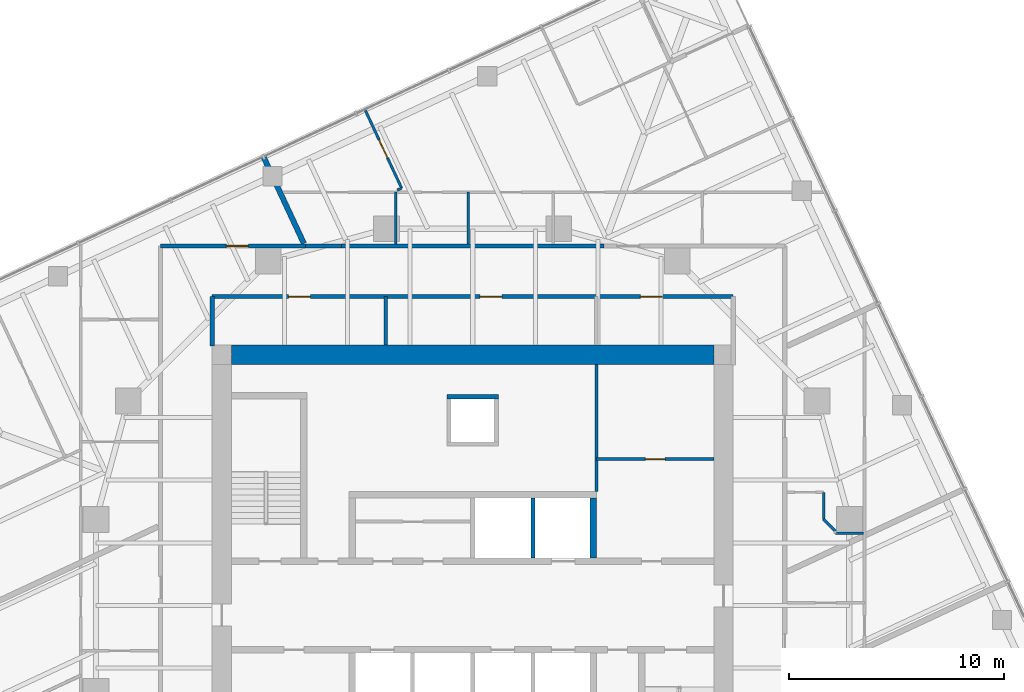
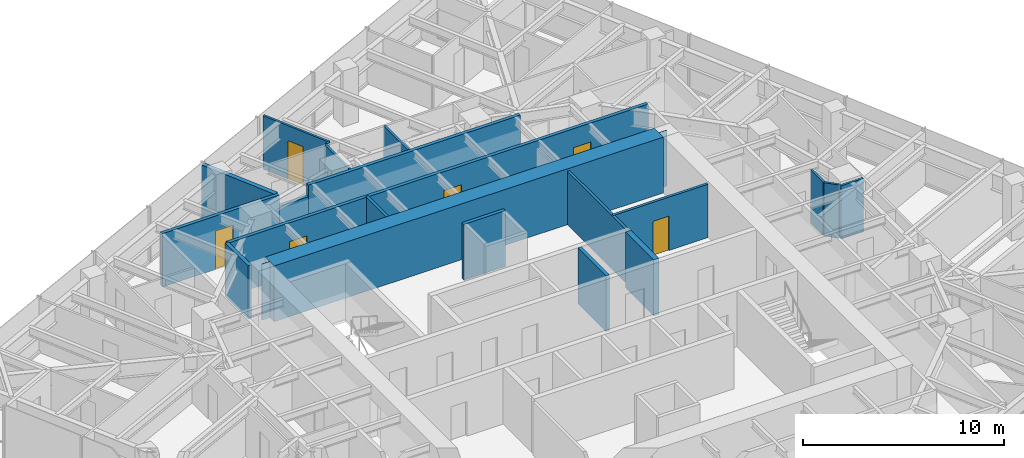
# One storey, part 10 of 13: 20 walls, 6 doors, 6 openings.
"""IFC4 building model written with IfcOpenShell, lengths in metres."""

from ifc_helpers import new_model, si_unit, direction, frame, frame_2d, origin, place, context, subcontext, project, spatial, polyline, rectangle, outline, extrude, material, layer, layer_set, type_object, element, fill, save


model = new_model("IFC4")

# Units and contexts
model_context = context("Model", 3, precision=1e-05, world=origin(), true_north=direction((0.0, 1.0)))
body_context = subcontext(model_context, "Body", "Model", "MODEL_VIEW")
ifc_project = project(units=[si_unit("LENGTHUNIT", "METRE"), si_unit("AREAUNIT", "SQUARE_METRE"), si_unit("VOLUMEUNIT", "CUBIC_METRE"), si_unit("PLANEANGLEUNIT", "RADIAN"), si_unit("MASSUNIT", "GRAM", prefix="KILO")], contexts=[model_context])

# Site, building, storey
site_placement = place(None, origin())
site = spatial("IfcSite", under=ifc_project, at=site_placement, CompositionType="ELEMENT")
building_placement = place(site_placement, origin())
building = spatial("IfcBuilding", under=site, at=building_placement, Name="Torsade Residences", CompositionType="ELEMENT")
storey_placement = place(building_placement, frame((0.0, 0.0, 196.39990234375)))
storey = spatial("IfcBuildingStorey", under=building, at=storey_placement, Name="L54", CompositionType="ELEMENT", Elevation=196.39990234375)

# Walls
ifc_material_1 = material(Name="Concrete 80 MPa", Category="concrete")
ifc_layer_1 = layer(ifc_material_1, 0.300048828125)
ifc_layer_set_1 = layer_set([ifc_layer_1], Name="Concrete 80 MPa")
wall_type_1 = type_object("IfcWallType", Name="CORE INTERNAL WALL 300", PredefinedType="SHEAR", material=ifc_layer_set_1)
wall_1_placement = place(storey_placement, frame((45.60009765625, 32.199951171875, 0.0), z_axis=(0.0, 0.0, 1.0), x_axis=(0.0, 1.0, 0.0)))
element("IfcWall", 1, at=wall_1_placement, inside=storey, type_object=wall_type_1, Name="Core wall DN4 L54", PredefinedType="SHEAR", context=body_context, shape_type="SweptSolid", body=[
    extrude(rectangle(XDim=2.800048828125, YDim=0.300048828125, at=frame_2d((1.39990234375, 0.0))), origin(), (0.0, 0.0, 1.0), 3.400146484375),
])
ifc_material_2 = material(Name="Concrete 80 MPa", Category="concrete")
ifc_layer_2 = layer(ifc_material_2, 0.89990234375)
ifc_layer_set_2 = layer_set([ifc_layer_2], Name="Concrete 80 MPa")
wall_type_2 = type_object("IfcWallType", Name="CORE WALL 900", PredefinedType="SHEAR", material=ifc_layer_set_2)
wall_2_placement = place(storey_placement, frame((28.800048828125, 41.64990234375, 0.0), z_axis=(0.0, 0.0, 1.0), x_axis=(1.0, 0.0, 0.0)))
element("IfcWall", 2, at=wall_2_placement, inside=storey, type_object=wall_type_2, Name="Core wall N L54", PredefinedType="SHEAR", context=body_context, shape_type="SweptSolid", body=[
    extrude(outline(polyline([(0.0, -0.449951171875), (22.39990234375, -0.449951171875), (22.39990234375, -0.02490234375), (22.849853515625, -0.02490234375), (22.849853515625, 0.02490234375), (22.39990234375, 0.02490234375), (22.39990234375, 0.449951171875), (0.0, 0.449951171875), (0.0, 0.02490234375), (-0.449951171875, 0.02490234375), (-0.449951171875, -0.02490234375), (0.0, -0.02490234375), (0.0, -0.449951171875)])), origin(), (0.0, 0.0, 1.0), 3.400146484375),
])
ifc_material_3 = material(Name="Plasterboard on steel stud", Category="steel")
ifc_layer_3 = layer(ifc_material_3, 0.199951171875)
ifc_layer_set_3 = layer_set([ifc_layer_3], Name="Plasterboard on steel stud")
wall_type_3 = type_object("IfcWallType", Name="CORRIDOR WALL 200", PredefinedType="PARTITIONING", material=ifc_layer_set_3)
wall_3_placement = place(storey_placement, frame((46.091552734375, 46.699951171875, 0.0), z_axis=(0.0, 0.0, 1.0), x_axis=(-1.0, 0.0, 0.0)))
element("IfcWall", 3, at=wall_3_placement, inside=storey, type_object=wall_type_3, Name="Corridor wall L54", PredefinedType="PARTITIONING", context=body_context, shape_type="SweptSolid", body=[
    extrude(rectangle(XDim=12.18310546875, YDim=0.199951171875, at=frame_2d((6.091552734375, 0.0))), origin(), (0.0, 0.0, 1.0), 3.25),
])
wall_4_placement = place(storey_placement, frame((33.908447265625, 46.699951171875, 0.0), z_axis=(0.0, 0.0, 1.0), x_axis=(-1.0, 0.0, 0.0)))
element("IfcWall", 4, at=wall_4_placement, inside=storey, type_object=wall_type_3, Name="Corridor wall L54", PredefinedType="PARTITIONING", context=body_context, shape_type="SweptSolid", body=[
    extrude(rectangle(XDim=1.68359375, YDim=0.199951171875, at=frame_2d((0.841796875, 0.0))), origin(), (0.0, 0.0, 1.0), 2.550048828125),
])

# Wall, opening, door
wall_5_placement = place(storey_placement, frame((32.224853515625, 46.699951171875, 0.0), z_axis=(0.0, 0.0, 1.0), x_axis=(-1.0, 0.0, 0.0)))
wall_5 = element("IfcWall", 5, at=wall_5_placement, inside=storey, type_object=wall_type_3, Name="Corridor wall L54", PredefinedType="PARTITIONING", context=body_context, shape_type="SweptSolid", body=[
    extrude(rectangle(XDim=6.724853515625, YDim=0.199951171875, at=frame_2d((3.3623046875, 0.0))), origin(), (0.0, 0.0, 1.0), 3.25),
])
opening_1_placement = place(wall_5_placement, frame((2.6474609375, 0.0, 0.0)))
opening_1 = element("IfcOpeningElement", 6, at=opening_1_placement, cuts=wall_5, Name="Opening D01", PredefinedType="OPENING", context=body_context, shape_type="SweptSolid", body=[
    extrude(rectangle(XDim=1.02001953125, YDim=2.340087890625, at=frame_2d((0.510009765625, 1.169921875))), frame((0.0, 0.10986328125, 0.0), z_axis=(0.0, -1.0, 0.0), x_axis=(1.0, 0.0, 0.0)), (0.0, 0.0, 1.0), 0.219970703125),
])
ifc_material_4 = material(Name="Solid-core timber fire door", Category="wood")
door_type_1 = type_object("IfcDoorType", Name="APARTMENT ENTRY DOOR 1020x2340", OperationType="NOTDEFINED", PredefinedType="DOOR", material=ifc_material_4)
door_1_placement = place(opening_1_placement, origin())
door_1 = element("IfcDoor", 7, at=door_1_placement, inside=storey, type_object=door_type_1, Name="Door Residential corridor to Kitchen and dining", OperationType="SINGLE_SWING_LEFT", OverallHeight=2.340087890625, OverallWidth=1.02001953125, PredefinedType="DOOR", context=body_context, shape_type="SweptSolid", body=[
    extrude(rectangle(XDim=1.02001953125, YDim=2.340087890625, at=frame_2d((0.510009765625, 1.169921875))), frame((0.0, 0.02490234375, 0.0), z_axis=(0.0, -1.0, 0.0), x_axis=(1.0, 0.0, 0.0)), (0.0, 0.0, 1.0), 0.050048828125),
])
fill(opening_1, door_1)

# Wall, openings, doors
wall_6_placement = place(storey_placement, frame((52.10009765625, 44.35009765625, 0.0), z_axis=(0.0, 0.0, 1.0), x_axis=(-1.0, 0.0, 0.0)))
wall_6 = element("IfcWall", 8, at=wall_6_placement, inside=storey, type_object=wall_type_3, Name="Corridor wall L54", PredefinedType="PARTITIONING", context=body_context, shape_type="SweptSolid", body=[
    extrude(rectangle(XDim=24.2001953125, YDim=0.199951171875, at=frame_2d((12.10009765625, 0.0))), origin(), (0.0, 0.0, 1.0), 3.25),
])
opening_2_placement = place(wall_6_placement, frame((10.742919921875, 0.0, 0.0)))
opening_2 = element("IfcOpeningElement", 9, at=opening_2_placement, cuts=wall_6, Name="Opening D03", PredefinedType="OPENING", context=body_context, shape_type="SweptSolid", body=[
    extrude(rectangle(XDim=1.02001953125, YDim=2.10009765625, at=frame_2d((0.510009765625, 1.050048828125))), frame((0.0, 0.10986328125, 0.0), z_axis=(0.0, -1.0, 0.0), x_axis=(1.0, 0.0, 0.0)), (0.0, 0.0, 1.0), 0.219970703125),
])
opening_3_placement = place(wall_6_placement, frame((19.6357421875, 0.0, 0.0)))
opening_3 = element("IfcOpeningElement", 10, at=opening_3_placement, cuts=wall_6, Name="Opening D03", PredefinedType="OPENING", context=body_context, shape_type="SweptSolid", body=[
    extrude(rectangle(XDim=1.02001953125, YDim=2.10009765625, at=frame_2d((0.510009765625, 1.050048828125))), frame((0.0, 0.10986328125, 0.0), z_axis=(0.0, -1.0, 0.0), x_axis=(1.0, 0.0, 0.0)), (0.0, 0.0, 1.0), 0.219970703125),
])
opening_4_placement = place(wall_6_placement, frame((3.29736328125, 0.0, 0.0)))
opening_4 = element("IfcOpeningElement", 11, at=opening_4_placement, cuts=wall_6, Name="Opening D03", PredefinedType="OPENING", context=body_context, shape_type="SweptSolid", body=[
    extrude(rectangle(XDim=1.02001953125, YDim=2.10009765625, at=frame_2d((0.510009765625, 1.050048828125))), frame((0.0, 0.10986328125, 0.0), z_axis=(0.0, -1.0, 0.0), x_axis=(1.0, 0.0, 0.0)), (0.0, 0.0, 1.0), 0.219970703125),
])
ifc_material_5 = material(Name="Steel-framed fire door", Category="steel")
door_type_2 = type_object("IfcDoorType", Name="FIRE DOOR 1020", OperationType="NOTDEFINED", PredefinedType="DOOR", material=ifc_material_5)
door_2_placement = place(opening_2_placement, origin())
door_2 = element("IfcDoor", 12, at=door_2_placement, inside=storey, type_object=door_type_2, Name="Door Residential corridor to Residents storage", OperationType="SINGLE_SWING_LEFT", OverallHeight=2.10009765625, OverallWidth=1.02001953125, PredefinedType="DOOR", context=body_context, shape_type="SweptSolid", body=[
    extrude(rectangle(XDim=1.02001953125, YDim=2.10009765625, at=frame_2d((0.510009765625, 1.050048828125))), frame((0.0, 0.02490234375, 0.0), z_axis=(0.0, -1.0, 0.0), x_axis=(1.0, 0.0, 0.0)), (0.0, 0.0, 1.0), 0.050048828125),
])
fill(opening_2, door_2)
door_3_placement = place(opening_3_placement, origin())
door_3 = element("IfcDoor", 13, at=door_3_placement, inside=storey, type_object=door_type_2, Name="Door Residential corridor to Bulk store", OperationType="SINGLE_SWING_LEFT", OverallHeight=2.10009765625, OverallWidth=1.02001953125, PredefinedType="DOOR", context=body_context, shape_type="SweptSolid", body=[
    extrude(rectangle(XDim=1.02001953125, YDim=2.10009765625, at=frame_2d((0.510009765625, 1.050048828125))), frame((0.0, 0.02490234375, 0.0), z_axis=(0.0, -1.0, 0.0), x_axis=(1.0, 0.0, 0.0)), (0.0, 0.0, 1.0), 0.050048828125),
])
fill(opening_3, door_3)
door_4_placement = place(opening_4_placement, origin())
door_4 = element("IfcDoor", 14, at=door_4_placement, inside=storey, type_object=door_type_2, Name="Door Residential corridor to Parcel room", OperationType="SINGLE_SWING_RIGHT", OverallHeight=2.10009765625, OverallWidth=1.02001953125, PredefinedType="DOOR", context=body_context, shape_type="SweptSolid", body=[
    extrude(rectangle(XDim=1.02001953125, YDim=2.10009765625, at=frame_2d((0.510009765625, 1.050048828125))), frame((0.0, 0.02490234375, 0.0), z_axis=(0.0, -1.0, 0.0), x_axis=(1.0, 0.0, 0.0)), (0.0, 0.0, 1.0), 0.050048828125),
])
fill(opening_4, door_4)

# Walls
wall_7_placement = place(storey_placement, frame((27.89990234375, 44.35009765625, 0.0), z_axis=(0.0, 0.0, 1.0), x_axis=(0.0, -1.0, 0.0)))
element("IfcWall", 15, at=wall_7_placement, inside=storey, type_object=wall_type_3, Name="Corridor wall L54", PredefinedType="PARTITIONING", context=body_context, shape_type="SweptSolid", body=[
    extrude(rectangle(XDim=2.300048828125, YDim=0.199951171875, at=frame_2d((1.14990234375, 0.0))), origin(), (0.0, 0.0, 1.0), 3.25),
])
ifc_material_6 = material(Name="Reinforced blockwork", Category="masonry")
ifc_layer_4 = layer(ifc_material_6, 0.199951171875)
ifc_layer_set_4 = layer_set([ifc_layer_4], Name="Reinforced blockwork")
wall_type_4 = type_object("IfcWallType", Name="LIFT SHAFT DIVIDING WALL 200", PredefinedType="SOLIDWALL", material=ifc_layer_set_4)
wall_8_placement = place(storey_placement, frame((42.800048828125, 32.199951171875, 0.0), z_axis=(0.0, 0.0, 1.0), x_axis=(0.0, 1.0, 0.0)))
element("IfcWall", 16, at=wall_8_placement, inside=storey, type_object=wall_type_4, Name="Core wall DN3 L54", PredefinedType="SOLIDWALL", context=body_context, shape_type="SweptSolid", body=[
    extrude(rectangle(XDim=2.800048828125, YDim=0.199951171875, at=frame_2d((1.39990234375, 0.0))), origin(), (0.0, 0.0, 1.0), 3.400146484375),
])
ifc_material_7 = material(Name="Plasterboard on steel stud", Category="steel")
ifc_layer_5 = layer(ifc_material_7, 0.1201171875)
ifc_layer_set_5 = layer_set([ifc_layer_5], Name="Plasterboard on steel stud")
wall_type_5 = type_object("IfcWallType", Name="PARTITION 120", PredefinedType="PARTITIONING", material=ifc_layer_set_5)
wall_9_placement = place(storey_placement, frame((58.14990234375, 33.35009765625, 0.0), z_axis=(0.0, 0.0, 1.0), x_axis=(-1.0, 0.0, 0.0)))
element("IfcWall", 17, at=wall_9_placement, inside=storey, type_object=wall_type_5, Name="Partition L54", PredefinedType="PARTITIONING", context=body_context, shape_type="SweptSolid", body=[
    extrude(rectangle(XDim=1.2998046875, YDim=0.1201171875, at=frame_2d((0.64990234375, 0.0))), origin(), (0.0, 0.0, 1.0), 3.25),
])
wall_10_placement = place(storey_placement, frame((56.85009765625, 33.449951171875, 0.0), z_axis=(0.0, 0.0, 1.0), x_axis=(-0.707106781187, 0.707106781187, 0.0)))
element("IfcWall", 18, at=wall_10_placement, inside=storey, type_object=wall_type_5, Name="Partition L54", PredefinedType="PARTITIONING", context=body_context, shape_type="SweptSolid", body=[
    extrude(rectangle(XDim=0.77783203125, YDim=0.1201171875, at=frame_2d((0.388916015625, 0.0))), origin(), (0.0, 0.0, 1.0), 3.25),
])
wall_11_placement = place(storey_placement, frame((56.300048828125, 34.0, 0.0), z_axis=(0.0, 0.0, 1.0), x_axis=(0.0, 1.0, 0.0)))
element("IfcWall", 19, at=wall_11_placement, inside=storey, type_object=wall_type_5, Name="Partition L54", PredefinedType="PARTITIONING", context=body_context, shape_type="SweptSolid", body=[
    extrude(rectangle(XDim=1.259765625, YDim=0.1201171875, at=frame_2d((0.6298828125, 0.0))), origin(), (0.0, 0.0, 1.0), 3.25),
])
for number, where, z_axis, x_axis, name in (
    (20, (36.418212890625, 49.199951171875, 0.0), (0.0, 0.0, 1.0), (0.0, -1.0, 0.0), "Partition L54"),
    (21, (39.787109375, 46.800048828125, 0.0), (0.0, 0.0, 1.0), (0.0, 1.0, 0.0), "Partition L54"),
):
    element("IfcWall", number, at=place(storey_placement, frame(where, z_axis=z_axis, x_axis=x_axis)), inside=storey, type_object=wall_type_5, Name=name, PredefinedType="PARTITIONING", context=body_context, shape_type="SweptSolid", body=[
        extrude(rectangle(XDim=2.39990234375, YDim=0.1201171875, at=frame_2d((1.199951171875, 0.0))), origin(), (0.0, 0.0, 1.0), 3.25),
    ])
wall_12_placement = place(storey_placement, frame((36.492431640625, 49.295166015625, 0.0), z_axis=(0.0, 0.0, 1.0), x_axis=(0.906653589403, 0.421875892677, 0.0)))
element("IfcWall", 22, at=wall_12_placement, inside=storey, type_object=wall_type_5, Name="Partition L54", PredefinedType="PARTITIONING", context=body_context, shape_type="SweptSolid", body=[
    extrude(rectangle(XDim=0.22509765625, YDim=0.1201171875, at=frame_2d((0.112548828125, 0.0))), origin(), (0.0, 0.0, 1.0), 3.25),
])

# Wall, opening, door
wall_13_placement = place(storey_placement, frame((36.696533203125, 49.39013671875, 0.0), z_axis=(0.0, 0.0, 1.0), x_axis=(-0.422771582019, 0.906236276827, 0.0)))
wall_13 = element("IfcWall", 23, at=wall_13_placement, inside=storey, type_object=wall_type_5, Name="Partition L54", PredefinedType="PARTITIONING", context=body_context, shape_type="SweptSolid", body=[
    extrude(rectangle(XDim=3.990478515625, YDim=0.1201171875, at=frame_2d((1.9951171875, 0.0))), origin(), (0.0, 0.0, 1.0), 3.25),
])
opening_5_placement = place(wall_13_placement, frame((1.55517578125, 0.0, 0.0)))
opening_5 = element("IfcOpeningElement", 24, at=opening_5_placement, cuts=wall_13, Name="Opening D02", PredefinedType="OPENING", context=body_context, shape_type="SweptSolid", body=[
    extrude(rectangle(XDim=0.919921875, YDim=2.340087890625, at=frame_2d((0.4599609375, 1.169921875))), frame((0.0, 0.070068359375, 0.0), z_axis=(0.0, -1.0, 0.0), x_axis=(1.0, 0.0, 0.0)), (0.0, 0.0, 1.0), 0.14013671875),
])
ifc_material_8 = material(Name="Hollow-core timber door", Category="wood")
door_type_3 = type_object("IfcDoorType", Name="INTERNAL DOOR 920x2340", OperationType="NOTDEFINED", PredefinedType="DOOR", material=ifc_material_8)
door_5_placement = place(opening_5_placement, origin())
door_5 = element("IfcDoor", 25, at=door_5_placement, inside=storey, type_object=door_type_3, Name="Door Living room to Study 2", OperationType="SINGLE_SWING_LEFT", OverallHeight=2.340087890625, OverallWidth=0.919921875, PredefinedType="DOOR", context=body_context, shape_type="SweptSolid", body=[
    extrude(rectangle(XDim=0.919921875, YDim=2.340087890625, at=frame_2d((0.4599609375, 1.169921875))), frame((0.0, 0.02490234375, 0.0), z_axis=(0.0, -1.0, 0.0), x_axis=(1.0, 0.0, 0.0)), (0.0, 0.0, 1.0), 0.050048828125),
])
fill(opening_5, door_5)

# Walls
ifc_material_9 = material(Name="Masonry-lined stud party wall", Category="masonry")
ifc_layer_6 = layer(ifc_material_9, 0.25)
ifc_layer_set_6 = layer_set([ifc_layer_6], Name="Masonry-lined stud party wall")
wall_type_6 = type_object("IfcWallType", Name="PARTY WALL 250", PredefinedType="PARTITIONING", material=ifc_layer_set_6)
wall_14_placement = place(storey_placement, frame((30.27978515625, 50.844970703125, 0.0), z_axis=(0.0, 0.0, 1.0), x_axis=(0.422614816594, -0.906309393527, 0.0)))
element("IfcWall", 26, at=wall_14_placement, inside=storey, type_object=wall_type_6, Name="Party wall L54", PredefinedType="PARTITIONING", context=body_context, shape_type="SweptSolid", body=[
    extrude(rectangle(XDim=4.44482421875, YDim=0.25, at=frame_2d((2.222412109375, 0.0))), origin(), (0.0, 0.0, 1.0), 3.25),
])
ifc_material_10 = material(Name="Reinforced blockwork", Category="masonry")
ifc_layer_7 = layer(ifc_material_10, 0.199951171875)
ifc_layer_set_7 = layer_set([ifc_layer_7], Name="Reinforced blockwork")
wall_type_7 = type_object("IfcWallType", Name="RISER SHAFT WALL 200", PredefinedType="SOLIDWALL", material=ifc_layer_set_7)
wall_15_placement = place(storey_placement, frame((38.800048828125, 39.699951171875, 0.0), z_axis=(0.0, 0.0, 1.0), x_axis=(1.0, 0.0, 0.0)))
element("IfcWall", 27, at=wall_15_placement, inside=storey, type_object=wall_type_7, Name="Core wall RS1d L54", PredefinedType="SOLIDWALL", context=body_context, shape_type="SweptSolid", body=[
    extrude(rectangle(XDim=2.39990234375, YDim=0.199951171875, at=frame_2d((1.199951171875, 0.0))), origin(), (0.0, 0.0, 1.0), 3.400146484375),
])
ifc_material_11 = material(Name="Reinforced blockwork", Category="masonry")
ifc_layer_8 = layer(ifc_material_11, 0.14990234375)
ifc_layer_set_8 = layer_set([ifc_layer_8], Name="Reinforced blockwork")
wall_type_8 = type_object("IfcWallType", Name="SERVICE ROOM WALL 150", PredefinedType="SOLIDWALL", material=ifc_layer_set_8)
wall_16_placement = place(storey_placement, frame((45.75, 41.199951171875, 0.0), z_axis=(0.0, 0.0, 1.0), x_axis=(0.0, -1.0, 0.0)))
element("IfcWall", 28, at=wall_16_placement, inside=storey, type_object=wall_type_8, Name="Service room wall L54", PredefinedType="SOLIDWALL", context=body_context, shape_type="SweptSolid", body=[
    extrude(rectangle(XDim=5.89990234375, YDim=0.14990234375, at=frame_2d((2.949951171875, 0.0))), origin(), (0.0, 0.0, 1.0), 3.25),
])

# Wall, opening, door
wall_17_placement = place(storey_placement, frame((45.75, 36.800048828125, 0.0), z_axis=(0.0, 0.0, 1.0), x_axis=(1.0, 0.0, 0.0)))
wall_17 = element("IfcWall", 29, at=wall_17_placement, inside=storey, type_object=wall_type_8, Name="Service room wall L54", PredefinedType="SOLIDWALL", context=body_context, shape_type="SweptSolid", body=[
    extrude(rectangle(XDim=5.449951171875, YDim=0.14990234375, at=frame_2d((2.72509765625, 0.0))), origin(), (0.0, 0.0, 1.0), 3.25),
])
opening_6_placement = place(wall_17_placement, frame((2.264892578125, 0.0, 0.0)))
opening_6 = element("IfcOpeningElement", 30, at=opening_6_placement, cuts=wall_17, Name="Opening D06", PredefinedType="OPENING", context=body_context, shape_type="SweptSolid", body=[
    extrude(rectangle(XDim=0.919921875, YDim=2.10009765625, at=frame_2d((0.4599609375, 1.050048828125))), frame((0.0, 0.0849609375, 0.0), z_axis=(0.0, -1.0, 0.0), x_axis=(1.0, 0.0, 0.0)), (0.0, 0.0, 1.0), 0.169921875),
])
ifc_material_12 = material(Name="Steel-framed fire door", Category="steel")
door_type_4 = type_object("IfcDoorType", Name="FIRE DOOR 920", OperationType="NOTDEFINED", PredefinedType="DOOR", material=ifc_material_12)
door_6_placement = place(opening_6_placement, origin())
door_6 = element("IfcDoor", 31, at=door_6_placement, inside=storey, type_object=door_type_4, Name="Door Refuse room to Recycling room", OperationType="SINGLE_SWING_LEFT", OverallHeight=2.10009765625, OverallWidth=0.919921875, PredefinedType="DOOR", context=body_context, shape_type="SweptSolid", body=[
    extrude(rectangle(XDim=0.919921875, YDim=2.10009765625, at=frame_2d((0.4599609375, 1.050048828125))), frame((0.0, 0.02490234375, 0.0), z_axis=(0.0, -1.0, 0.0), x_axis=(1.0, 0.0, 0.0)), (0.0, 0.0, 1.0), 0.050048828125),
])
fill(opening_6, door_6)

# Wall
wall_18_placement = place(storey_placement, frame((35.95849609375, 42.10009765625, 0.0), z_axis=(0.0, 0.0, 1.0), x_axis=(0.0, 1.0, 0.0)))
element("IfcWall", 32, at=wall_18_placement, inside=storey, type_object=wall_type_8, Name="Service room wall L54", PredefinedType="SOLIDWALL", context=body_context, shape_type="SweptSolid", body=[
    extrude(rectangle(XDim=2.25, YDim=0.14990234375, at=frame_2d((1.125, 0.0))), origin(), (0.0, 0.0, 1.0), 3.25),
])

save(model, "model.ifc")
